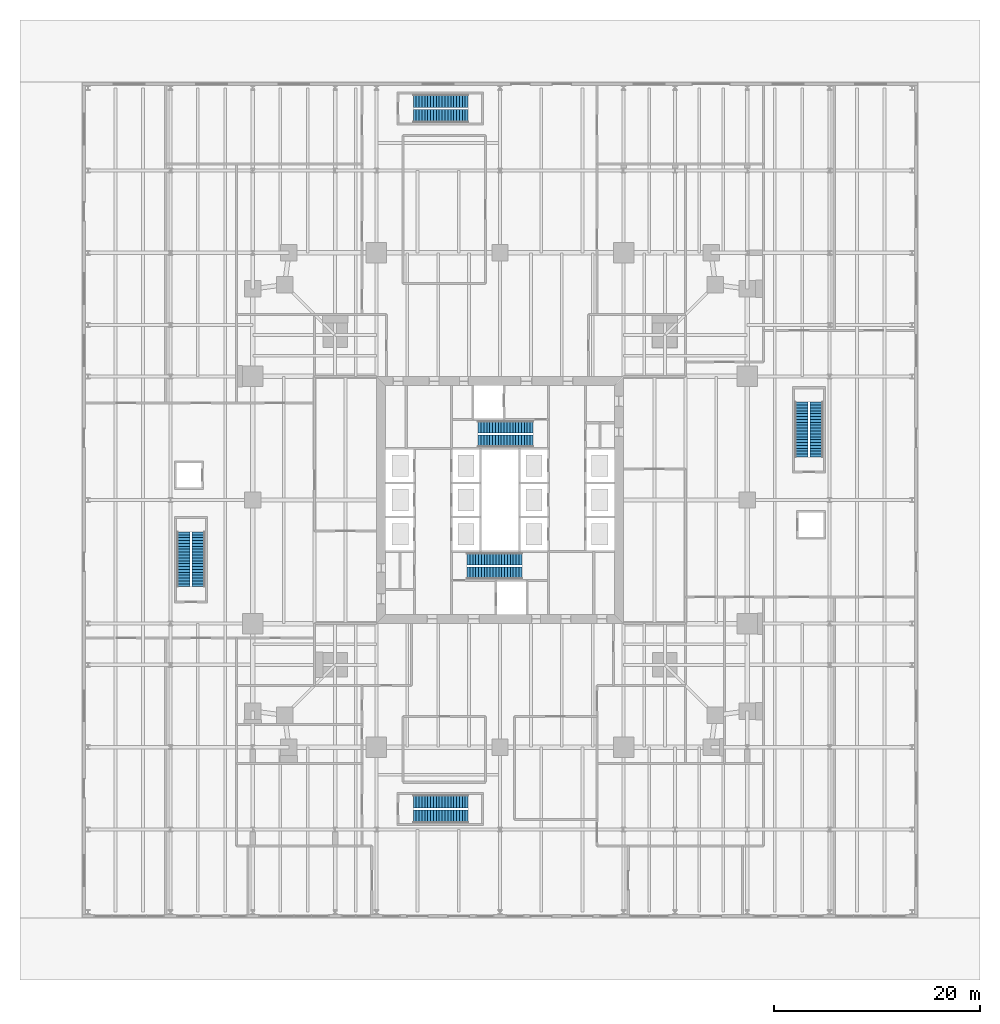
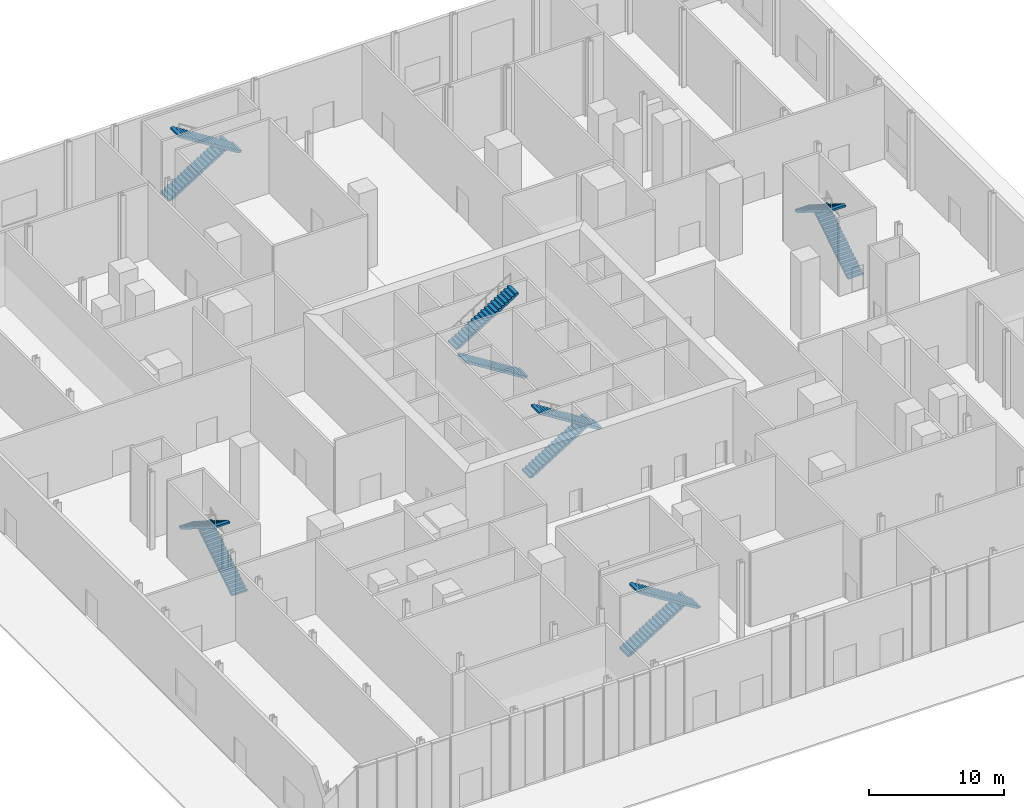
# One storey, part 18 of 20: 12 stair flights, 6 elements without a shape of their own.
"""IFC4 building model written with IfcOpenShell, lengths in metres."""

from ifc_helpers import new_model, si_unit, direction, frame, origin, place, context, subcontext, project, spatial, polyline, outline, extrude, material, type_object, element, aggregate, save


model = new_model("IFC4")

# Units and contexts
model_context = context("Model", 3, precision=1e-05, world=origin(), true_north=direction((0.0, 1.0)))
body_context = subcontext(model_context, "Body", "Model", "MODEL_VIEW")
ifc_project = project(units=[si_unit("LENGTHUNIT", "METRE"), si_unit("AREAUNIT", "SQUARE_METRE"), si_unit("VOLUMEUNIT", "CUBIC_METRE"), si_unit("PLANEANGLEUNIT", "RADIAN"), si_unit("MASSUNIT", "GRAM", prefix="KILO")], contexts=[model_context])

# Site, building, storey
site_placement = place(None, origin())
site = spatial("IfcSite", under=ifc_project, at=site_placement, CompositionType="ELEMENT")
building_placement = place(site_placement, origin())
building = spatial("IfcBuilding", under=site, at=building_placement, Name="Fenwick Lantern Interchange", CompositionType="ELEMENT")
storey_placement = place(building_placement, origin())
storey = spatial("IfcBuildingStorey", under=building, at=storey_placement, Name="L00", CompositionType="ELEMENT", Elevation=0.0)

# Stair, stair flights
ifc_material = material(Name="Precast concrete f'c 35 MPa", Category="concrete")
stair_type_1 = type_object("IfcStairType", Name="EXIT STAIR 1200", PredefinedType="HALF_TURN_STAIR", material=ifc_material)
stair_1_placement = place(storey_placement, origin())
stair_1 = element("IfcStair", 1, at=stair_1_placement, inside=storey, type_object=stair_type_1, Name="Exit stair ST1", PredefinedType="HALF_TURN_STAIR")
stair_flight_type_1 = type_object("IfcStairFlightType", Name="STAIR FLIGHT 1200", PredefinedType="STRAIGHT", material=ifc_material)
stair_flight_1_placement = place(storey_placement, frame((21.800048828125, 19.300048828125, 0.0), z_axis=(0.0, 0.0, 1.0), x_axis=(1.0, 0.0, 0.0)))
stair_flight_1 = element("IfcStairFlight", 2, at=stair_flight_1_placement, type_object=stair_flight_type_1, Name="ST1 flight 1", NumberOfRisers=20, NumberOfTreads=19, PredefinedType="STRAIGHT", RiserHeight=0.175, TreadLength=0.28, context=body_context, shape_type="SweptSolid", body=[
    extrude(outline(polyline([(0.0, 0.0), (0.0, 0.175048828125), (0.280029296875, 0.175048828125), (0.280029296875, 0.35009765625), (0.56005859375, 0.35009765625), (0.56005859375, 0.52490234375), (0.840087890625, 0.52490234375), (0.840087890625, 0.699951171875), (1.1201171875, 0.699951171875), (1.1201171875, 0.875), (1.39990234375, 0.875), (1.39990234375, 1.050048828125), (1.679931640625, 1.050048828125), (1.679931640625, 1.22509765625), (1.9599609375, 1.22509765625), (1.9599609375, 1.39990234375), (2.239990234375, 1.39990234375), (2.239990234375, 1.574951171875), (2.52001953125, 1.574951171875), (2.52001953125, 1.75), (2.800048828125, 1.75), (2.800048828125, 1.925048828125), (3.080078125, 1.925048828125), (3.080078125, 2.10009765625), (3.360107421875, 2.10009765625), (3.360107421875, 2.27490234375), (3.639892578125, 2.27490234375), (3.639892578125, 2.449951171875), (3.919921875, 2.449951171875), (3.919921875, 2.625), (4.199951171875, 2.625), (4.199951171875, 2.800048828125), (4.47998046875, 2.800048828125), (4.47998046875, 2.97509765625), (4.760009765625, 2.97509765625), (4.760009765625, 3.14990234375), (5.0400390625, 3.14990234375), (5.0400390625, 3.324951171875), (5.320068359375, 3.324951171875), (5.320068359375, 3.5), (5.320068359375, 3.148193359375), (0.28271484375, 0.0), (0.0, 0.0)])), frame((0.0, 0.60009765625, 0.0), z_axis=(0.0, -1.0, 0.0), x_axis=(1.0, 0.0, 0.0)), (0.0, 0.0, 1.0), 1.199951171875),
])
stair_flight_2_placement = place(storey_placement, frame((27.1201171875, 17.89990234375, 3.5), z_axis=(0.0, 0.0, 1.0), x_axis=(-1.0, 0.0, 0.0)))
stair_flight_2 = element("IfcStairFlight", 3, at=stair_flight_2_placement, type_object=stair_flight_type_1, Name="ST1 flight 2", NumberOfRisers=20, NumberOfTreads=19, PredefinedType="STRAIGHT", RiserHeight=0.175, TreadLength=0.28, context=body_context, shape_type="SweptSolid", body=[
    extrude(outline(polyline([(0.0, 0.0), (0.0, 0.175048828125), (0.280029296875, 0.175048828125), (0.280029296875, 0.35009765625), (0.56005859375, 0.35009765625), (0.56005859375, 0.52490234375), (0.840087890625, 0.52490234375), (0.840087890625, 0.699951171875), (1.1201171875, 0.699951171875), (1.1201171875, 0.875), (1.39990234375, 0.875), (1.39990234375, 1.050048828125), (1.679931640625, 1.050048828125), (1.679931640625, 1.22509765625), (1.9599609375, 1.22509765625), (1.9599609375, 1.39990234375), (2.239990234375, 1.39990234375), (2.239990234375, 1.574951171875), (2.52001953125, 1.574951171875), (2.52001953125, 1.75), (2.800048828125, 1.75), (2.800048828125, 1.925048828125), (3.080078125, 1.925048828125), (3.080078125, 2.10009765625), (3.360107421875, 2.10009765625), (3.360107421875, 2.27490234375), (3.639892578125, 2.27490234375), (3.639892578125, 2.449951171875), (3.919921875, 2.449951171875), (3.919921875, 2.625), (4.199951171875, 2.625), (4.199951171875, 2.800048828125), (4.47998046875, 2.800048828125), (4.47998046875, 2.97509765625), (4.760009765625, 2.97509765625), (4.760009765625, 3.14990234375), (5.0400390625, 3.14990234375), (5.0400390625, 3.324951171875), (5.320068359375, 3.324951171875), (5.320068359375, 3.5), (5.320068359375, 3.148193359375), (0.28271484375, 0.0), (0.0, 0.0)])), frame((0.0, 0.60009765625, 0.0), z_axis=(0.0, -1.0, 0.0), x_axis=(1.0, 0.0, 0.0)), (0.0, 0.0, 1.0), 1.199951171875),
])
aggregate(stair_1, [stair_flight_1, stair_flight_2])

stair_2_placement = place(storey_placement, origin())
stair_2 = element("IfcStair", 4, at=stair_2_placement, inside=storey, type_object=stair_type_1, Name="Exit stair ST2", PredefinedType="HALF_TURN_STAIR")
stair_flight_3_placement = place(storey_placement, frame((28.199951171875, 30.699951171875, 0.0), z_axis=(0.0, 0.0, 1.0), x_axis=(-1.0, 0.0, 0.0)))
stair_flight_3 = element("IfcStairFlight", 5, at=stair_flight_3_placement, type_object=stair_flight_type_1, Name="ST2 flight 1", NumberOfRisers=20, NumberOfTreads=19, PredefinedType="STRAIGHT", RiserHeight=0.175, TreadLength=0.28, context=body_context, shape_type="SweptSolid", body=[
    extrude(outline(polyline([(0.0, 0.0), (0.0, 0.175048828125), (0.280029296875, 0.175048828125), (0.280029296875, 0.35009765625), (0.56005859375, 0.35009765625), (0.56005859375, 0.52490234375), (0.840087890625, 0.52490234375), (0.840087890625, 0.699951171875), (1.1201171875, 0.699951171875), (1.1201171875, 0.875), (1.39990234375, 0.875), (1.39990234375, 1.050048828125), (1.679931640625, 1.050048828125), (1.679931640625, 1.22509765625), (1.9599609375, 1.22509765625), (1.9599609375, 1.39990234375), (2.239990234375, 1.39990234375), (2.239990234375, 1.574951171875), (2.52001953125, 1.574951171875), (2.52001953125, 1.75), (2.800048828125, 1.75), (2.800048828125, 1.925048828125), (3.080078125, 1.925048828125), (3.080078125, 2.10009765625), (3.360107421875, 2.10009765625), (3.360107421875, 2.27490234375), (3.639892578125, 2.27490234375), (3.639892578125, 2.449951171875), (3.919921875, 2.449951171875), (3.919921875, 2.625), (4.199951171875, 2.625), (4.199951171875, 2.800048828125), (4.47998046875, 2.800048828125), (4.47998046875, 2.97509765625), (4.760009765625, 2.97509765625), (4.760009765625, 3.14990234375), (5.0400390625, 3.14990234375), (5.0400390625, 3.324951171875), (5.320068359375, 3.324951171875), (5.320068359375, 3.5), (5.320068359375, 3.148193359375), (0.28271484375, 0.0), (0.0, 0.0)])), frame((0.0, 0.60009765625, 0.0), z_axis=(0.0, -1.0, 0.0), x_axis=(1.0, 0.0, 0.0)), (0.0, 0.0, 1.0), 1.199951171875),
])
stair_flight_4_placement = place(storey_placement, frame((22.8798828125, 32.10009765625, 3.5), z_axis=(0.0, 0.0, 1.0), x_axis=(1.0, 0.0, 0.0)))
stair_flight_4 = element("IfcStairFlight", 6, at=stair_flight_4_placement, type_object=stair_flight_type_1, Name="ST2 flight 2", NumberOfRisers=20, NumberOfTreads=19, PredefinedType="STRAIGHT", RiserHeight=0.175, TreadLength=0.28, context=body_context, shape_type="SweptSolid", body=[
    extrude(outline(polyline([(0.0, 0.0), (0.0, 0.175048828125), (0.280029296875, 0.175048828125), (0.280029296875, 0.35009765625), (0.56005859375, 0.35009765625), (0.56005859375, 0.52490234375), (0.840087890625, 0.52490234375), (0.840087890625, 0.699951171875), (1.1201171875, 0.699951171875), (1.1201171875, 0.875), (1.39990234375, 0.875), (1.39990234375, 1.050048828125), (1.679931640625, 1.050048828125), (1.679931640625, 1.22509765625), (1.9599609375, 1.22509765625), (1.9599609375, 1.39990234375), (2.239990234375, 1.39990234375), (2.239990234375, 1.574951171875), (2.52001953125, 1.574951171875), (2.52001953125, 1.75), (2.800048828125, 1.75), (2.800048828125, 1.925048828125), (3.080078125, 1.925048828125), (3.080078125, 2.10009765625), (3.360107421875, 2.10009765625), (3.360107421875, 2.27490234375), (3.639892578125, 2.27490234375), (3.639892578125, 2.449951171875), (3.919921875, 2.449951171875), (3.919921875, 2.625), (4.199951171875, 2.625), (4.199951171875, 2.800048828125), (4.47998046875, 2.800048828125), (4.47998046875, 2.97509765625), (4.760009765625, 2.97509765625), (4.760009765625, 3.14990234375), (5.0400390625, 3.14990234375), (5.0400390625, 3.324951171875), (5.320068359375, 3.324951171875), (5.320068359375, 3.5), (5.320068359375, 3.148193359375), (0.28271484375, 0.0), (0.0, 0.0)])), frame((0.0, 0.60009765625, 0.0), z_axis=(0.0, -1.0, 0.0), x_axis=(1.0, 0.0, 0.0)), (0.0, 0.0, 1.0), 1.199951171875),
])
aggregate(stair_2, [stair_flight_3, stair_flight_4])

stair_type_2 = type_object("IfcStairType", Name="EXIT STAIR 1300", PredefinedType="HALF_TURN_STAIR", material=ifc_material)
stair_3_placement = place(storey_placement, origin())
stair_3 = element("IfcStair", 7, at=stair_3_placement, inside=storey, type_object=stair_type_2, Name="Exit stair PS1", PredefinedType="HALF_TURN_STAIR")
stair_flight_type_2 = type_object("IfcStairFlightType", Name="STAIR FLIGHT 1300", PredefinedType="STRAIGHT", material=ifc_material)
stair_flight_5_placement = place(storey_placement, frame((16.580078125, 63.75, 0.0), z_axis=(0.0, 0.0, 1.0), x_axis=(1.0, 0.0, 0.0)))
stair_flight_5 = element("IfcStairFlight", 8, at=stair_flight_5_placement, type_object=stair_flight_type_2, Name="PS1 flight 1", NumberOfRisers=20, NumberOfTreads=19, PredefinedType="STRAIGHT", RiserHeight=0.175, TreadLength=0.28, context=body_context, shape_type="SweptSolid", body=[
    extrude(outline(polyline([(0.0, 0.0), (0.0, 0.175048828125), (0.280029296875, 0.175048828125), (0.280029296875, 0.35009765625), (0.56005859375, 0.35009765625), (0.56005859375, 0.52490234375), (0.840087890625, 0.52490234375), (0.840087890625, 0.699951171875), (1.1201171875, 0.699951171875), (1.1201171875, 0.875), (1.39990234375, 0.875), (1.39990234375, 1.050048828125), (1.679931640625, 1.050048828125), (1.679931640625, 1.22509765625), (1.9599609375, 1.22509765625), (1.9599609375, 1.39990234375), (2.239990234375, 1.39990234375), (2.239990234375, 1.574951171875), (2.52001953125, 1.574951171875), (2.52001953125, 1.75), (2.800048828125, 1.75), (2.800048828125, 1.925048828125), (3.080078125, 1.925048828125), (3.080078125, 2.10009765625), (3.360107421875, 2.10009765625), (3.360107421875, 2.27490234375), (3.639892578125, 2.27490234375), (3.639892578125, 2.449951171875), (3.919921875, 2.449951171875), (3.919921875, 2.625), (4.199951171875, 2.625), (4.199951171875, 2.800048828125), (4.47998046875, 2.800048828125), (4.47998046875, 2.97509765625), (4.760009765625, 2.97509765625), (4.760009765625, 3.14990234375), (5.0400390625, 3.14990234375), (5.0400390625, 3.324951171875), (5.320068359375, 3.324951171875), (5.320068359375, 3.5), (5.320068359375, 3.148193359375), (0.28271484375, 0.0), (0.0, 0.0)])), frame((0.0, 0.64990234375, 0.0), z_axis=(0.0, -1.0, 0.0), x_axis=(1.0, 0.0, 0.0)), (0.0, 0.0, 1.0), 1.300048828125),
])
stair_flight_6_placement = place(storey_placement, frame((21.89990234375, 62.25, 3.5), z_axis=(0.0, 0.0, 1.0), x_axis=(-1.0, 0.0, 0.0)))
stair_flight_6 = element("IfcStairFlight", 9, at=stair_flight_6_placement, type_object=stair_flight_type_2, Name="PS1 flight 2", NumberOfRisers=20, NumberOfTreads=19, PredefinedType="STRAIGHT", RiserHeight=0.175, TreadLength=0.28, context=body_context, shape_type="SweptSolid", body=[
    extrude(outline(polyline([(0.0, 0.0), (0.0, 0.175048828125), (0.280029296875, 0.175048828125), (0.280029296875, 0.35009765625), (0.56005859375, 0.35009765625), (0.56005859375, 0.52490234375), (0.840087890625, 0.52490234375), (0.840087890625, 0.699951171875), (1.1201171875, 0.699951171875), (1.1201171875, 0.875), (1.39990234375, 0.875), (1.39990234375, 1.050048828125), (1.679931640625, 1.050048828125), (1.679931640625, 1.22509765625), (1.9599609375, 1.22509765625), (1.9599609375, 1.39990234375), (2.239990234375, 1.39990234375), (2.239990234375, 1.574951171875), (2.52001953125, 1.574951171875), (2.52001953125, 1.75), (2.800048828125, 1.75), (2.800048828125, 1.925048828125), (3.080078125, 1.925048828125), (3.080078125, 2.10009765625), (3.360107421875, 2.10009765625), (3.360107421875, 2.27490234375), (3.639892578125, 2.27490234375), (3.639892578125, 2.449951171875), (3.919921875, 2.449951171875), (3.919921875, 2.625), (4.199951171875, 2.625), (4.199951171875, 2.800048828125), (4.47998046875, 2.800048828125), (4.47998046875, 2.97509765625), (4.760009765625, 2.97509765625), (4.760009765625, 3.14990234375), (5.0400390625, 3.14990234375), (5.0400390625, 3.324951171875), (5.320068359375, 3.324951171875), (5.320068359375, 3.5), (5.320068359375, 3.148193359375), (0.28271484375, 0.0), (0.0, 0.0)])), frame((0.0, 0.64990234375, 0.0), z_axis=(0.0, -1.0, 0.0), x_axis=(1.0, 0.0, 0.0)), (0.0, 0.0, 1.0), 1.300048828125),
])
aggregate(stair_3, [stair_flight_5, stair_flight_6])

stair_4_placement = place(storey_placement, origin())
stair_4 = element("IfcStair", 10, at=stair_4_placement, inside=storey, type_object=stair_type_2, Name="Exit stair PS2", PredefinedType="HALF_TURN_STAIR")
stair_flight_7_placement = place(storey_placement, frame((16.580078125, -4.25, 0.0), z_axis=(0.0, 0.0, 1.0), x_axis=(1.0, 0.0, 0.0)))
stair_flight_7 = element("IfcStairFlight", 11, at=stair_flight_7_placement, type_object=stair_flight_type_2, Name="PS2 flight 1", NumberOfRisers=20, NumberOfTreads=19, PredefinedType="STRAIGHT", RiserHeight=0.175, TreadLength=0.28, context=body_context, shape_type="SweptSolid", body=[
    extrude(outline(polyline([(0.0, 0.0), (0.0, 0.175048828125), (0.280029296875, 0.175048828125), (0.280029296875, 0.35009765625), (0.56005859375, 0.35009765625), (0.56005859375, 0.52490234375), (0.840087890625, 0.52490234375), (0.840087890625, 0.699951171875), (1.1201171875, 0.699951171875), (1.1201171875, 0.875), (1.39990234375, 0.875), (1.39990234375, 1.050048828125), (1.679931640625, 1.050048828125), (1.679931640625, 1.22509765625), (1.9599609375, 1.22509765625), (1.9599609375, 1.39990234375), (2.239990234375, 1.39990234375), (2.239990234375, 1.574951171875), (2.52001953125, 1.574951171875), (2.52001953125, 1.75), (2.800048828125, 1.75), (2.800048828125, 1.925048828125), (3.080078125, 1.925048828125), (3.080078125, 2.10009765625), (3.360107421875, 2.10009765625), (3.360107421875, 2.27490234375), (3.639892578125, 2.27490234375), (3.639892578125, 2.449951171875), (3.919921875, 2.449951171875), (3.919921875, 2.625), (4.199951171875, 2.625), (4.199951171875, 2.800048828125), (4.47998046875, 2.800048828125), (4.47998046875, 2.97509765625), (4.760009765625, 2.97509765625), (4.760009765625, 3.14990234375), (5.0400390625, 3.14990234375), (5.0400390625, 3.324951171875), (5.320068359375, 3.324951171875), (5.320068359375, 3.5), (5.320068359375, 3.148193359375), (0.28271484375, 0.0), (0.0, 0.0)])), frame((0.0, 0.64990234375, 0.0), z_axis=(0.0, -1.0, 0.0), x_axis=(1.0, 0.0, 0.0)), (0.0, 0.0, 1.0), 1.300048828125),
])
stair_flight_8_placement = place(storey_placement, frame((21.89990234375, -5.75, 3.5), z_axis=(0.0, 0.0, 1.0), x_axis=(-1.0, 0.0, 0.0)))
stair_flight_8 = element("IfcStairFlight", 12, at=stair_flight_8_placement, type_object=stair_flight_type_2, Name="PS2 flight 2", NumberOfRisers=20, NumberOfTreads=19, PredefinedType="STRAIGHT", RiserHeight=0.175, TreadLength=0.28, context=body_context, shape_type="SweptSolid", body=[
    extrude(outline(polyline([(0.0, 0.0), (0.0, 0.175048828125), (0.280029296875, 0.175048828125), (0.280029296875, 0.35009765625), (0.56005859375, 0.35009765625), (0.56005859375, 0.52490234375), (0.840087890625, 0.52490234375), (0.840087890625, 0.699951171875), (1.1201171875, 0.699951171875), (1.1201171875, 0.875), (1.39990234375, 0.875), (1.39990234375, 1.050048828125), (1.679931640625, 1.050048828125), (1.679931640625, 1.22509765625), (1.9599609375, 1.22509765625), (1.9599609375, 1.39990234375), (2.239990234375, 1.39990234375), (2.239990234375, 1.574951171875), (2.52001953125, 1.574951171875), (2.52001953125, 1.75), (2.800048828125, 1.75), (2.800048828125, 1.925048828125), (3.080078125, 1.925048828125), (3.080078125, 2.10009765625), (3.360107421875, 2.10009765625), (3.360107421875, 2.27490234375), (3.639892578125, 2.27490234375), (3.639892578125, 2.449951171875), (3.919921875, 2.449951171875), (3.919921875, 2.625), (4.199951171875, 2.625), (4.199951171875, 2.800048828125), (4.47998046875, 2.800048828125), (4.47998046875, 2.97509765625), (4.760009765625, 2.97509765625), (4.760009765625, 3.14990234375), (5.0400390625, 3.14990234375), (5.0400390625, 3.324951171875), (5.320068359375, 3.324951171875), (5.320068359375, 3.5), (5.320068359375, 3.148193359375), (0.28271484375, 0.0), (0.0, 0.0)])), frame((0.0, 0.64990234375, 0.0), z_axis=(0.0, -1.0, 0.0), x_axis=(1.0, 0.0, 0.0)), (0.0, 0.0, 1.0), 1.300048828125),
])
aggregate(stair_4, [stair_flight_7, stair_flight_8])

stair_5_placement = place(storey_placement, origin())
stair_5 = element("IfcStair", 13, at=stair_5_placement, inside=storey, type_object=stair_type_2, Name="Exit stair PS3", PredefinedType="HALF_TURN_STAIR")
stair_flight_9_placement = place(storey_placement, frame((-4.25, 16.580078125, 0.0), z_axis=(0.0, 0.0, 1.0), x_axis=(0.0, 1.0, 0.0)))
stair_flight_9 = element("IfcStairFlight", 14, at=stair_flight_9_placement, type_object=stair_flight_type_2, Name="PS3 flight 1", NumberOfRisers=20, NumberOfTreads=19, PredefinedType="STRAIGHT", RiserHeight=0.175, TreadLength=0.28, context=body_context, shape_type="SweptSolid", body=[
    extrude(outline(polyline([(0.0, 0.0), (0.0, 0.175048828125), (0.280029296875, 0.175048828125), (0.280029296875, 0.35009765625), (0.56005859375, 0.35009765625), (0.56005859375, 0.52490234375), (0.840087890625, 0.52490234375), (0.840087890625, 0.699951171875), (1.1201171875, 0.699951171875), (1.1201171875, 0.875), (1.39990234375, 0.875), (1.39990234375, 1.050048828125), (1.679931640625, 1.050048828125), (1.679931640625, 1.22509765625), (1.9599609375, 1.22509765625), (1.9599609375, 1.39990234375), (2.239990234375, 1.39990234375), (2.239990234375, 1.574951171875), (2.52001953125, 1.574951171875), (2.52001953125, 1.75), (2.800048828125, 1.75), (2.800048828125, 1.925048828125), (3.080078125, 1.925048828125), (3.080078125, 2.10009765625), (3.360107421875, 2.10009765625), (3.360107421875, 2.27490234375), (3.639892578125, 2.27490234375), (3.639892578125, 2.449951171875), (3.919921875, 2.449951171875), (3.919921875, 2.625), (4.199951171875, 2.625), (4.199951171875, 2.800048828125), (4.47998046875, 2.800048828125), (4.47998046875, 2.97509765625), (4.760009765625, 2.97509765625), (4.760009765625, 3.14990234375), (5.0400390625, 3.14990234375), (5.0400390625, 3.324951171875), (5.320068359375, 3.324951171875), (5.320068359375, 3.5), (5.320068359375, 3.148193359375), (0.28271484375, 0.0), (0.0, 0.0)])), frame((0.0, 0.64990234375, 0.0), z_axis=(0.0, -1.0, 0.0), x_axis=(1.0, 0.0, 0.0)), (0.0, 0.0, 1.0), 1.300048828125),
])
stair_flight_10_placement = place(storey_placement, frame((-5.75, 21.89990234375, 3.5), z_axis=(0.0, 0.0, 1.0), x_axis=(0.0, -1.0, 0.0)))
stair_flight_10 = element("IfcStairFlight", 15, at=stair_flight_10_placement, type_object=stair_flight_type_2, Name="PS3 flight 2", NumberOfRisers=20, NumberOfTreads=19, PredefinedType="STRAIGHT", RiserHeight=0.175, TreadLength=0.28, context=body_context, shape_type="SweptSolid", body=[
    extrude(outline(polyline([(0.0, 0.0), (0.0, 0.175048828125), (0.280029296875, 0.175048828125), (0.280029296875, 0.35009765625), (0.56005859375, 0.35009765625), (0.56005859375, 0.52490234375), (0.840087890625, 0.52490234375), (0.840087890625, 0.699951171875), (1.1201171875, 0.699951171875), (1.1201171875, 0.875), (1.39990234375, 0.875), (1.39990234375, 1.050048828125), (1.679931640625, 1.050048828125), (1.679931640625, 1.22509765625), (1.9599609375, 1.22509765625), (1.9599609375, 1.39990234375), (2.239990234375, 1.39990234375), (2.239990234375, 1.574951171875), (2.52001953125, 1.574951171875), (2.52001953125, 1.75), (2.800048828125, 1.75), (2.800048828125, 1.925048828125), (3.080078125, 1.925048828125), (3.080078125, 2.10009765625), (3.360107421875, 2.10009765625), (3.360107421875, 2.27490234375), (3.639892578125, 2.27490234375), (3.639892578125, 2.449951171875), (3.919921875, 2.449951171875), (3.919921875, 2.625), (4.199951171875, 2.625), (4.199951171875, 2.800048828125), (4.47998046875, 2.800048828125), (4.47998046875, 2.97509765625), (4.760009765625, 2.97509765625), (4.760009765625, 3.14990234375), (5.0400390625, 3.14990234375), (5.0400390625, 3.324951171875), (5.320068359375, 3.324951171875), (5.320068359375, 3.5), (5.320068359375, 3.148193359375), (0.28271484375, 0.0), (0.0, 0.0)])), frame((0.0, 0.64990234375, 0.0), z_axis=(0.0, -1.0, 0.0), x_axis=(1.0, 0.0, 0.0)), (0.0, 0.0, 1.0), 1.300048828125),
])
aggregate(stair_5, [stair_flight_9, stair_flight_10])

stair_6_placement = place(storey_placement, origin())
stair_6 = element("IfcStair", 16, at=stair_6_placement, inside=storey, type_object=stair_type_2, Name="Exit stair PS4", PredefinedType="HALF_TURN_STAIR")
stair_flight_11_placement = place(storey_placement, frame((55.75, 29.179931640625, 0.0), z_axis=(0.0, 0.0, 1.0), x_axis=(0.0, 1.0, 0.0)))
stair_flight_11 = element("IfcStairFlight", 17, at=stair_flight_11_placement, type_object=stair_flight_type_2, Name="PS4 flight 1", NumberOfRisers=20, NumberOfTreads=19, PredefinedType="STRAIGHT", RiserHeight=0.175, TreadLength=0.28, context=body_context, shape_type="SweptSolid", body=[
    extrude(outline(polyline([(0.0, 0.0), (0.0, 0.175048828125), (0.280029296875, 0.175048828125), (0.280029296875, 0.35009765625), (0.56005859375, 0.35009765625), (0.56005859375, 0.52490234375), (0.840087890625, 0.52490234375), (0.840087890625, 0.699951171875), (1.1201171875, 0.699951171875), (1.1201171875, 0.875), (1.39990234375, 0.875), (1.39990234375, 1.050048828125), (1.679931640625, 1.050048828125), (1.679931640625, 1.22509765625), (1.9599609375, 1.22509765625), (1.9599609375, 1.39990234375), (2.239990234375, 1.39990234375), (2.239990234375, 1.574951171875), (2.52001953125, 1.574951171875), (2.52001953125, 1.75), (2.800048828125, 1.75), (2.800048828125, 1.925048828125), (3.080078125, 1.925048828125), (3.080078125, 2.10009765625), (3.360107421875, 2.10009765625), (3.360107421875, 2.27490234375), (3.639892578125, 2.27490234375), (3.639892578125, 2.449951171875), (3.919921875, 2.449951171875), (3.919921875, 2.625), (4.199951171875, 2.625), (4.199951171875, 2.800048828125), (4.47998046875, 2.800048828125), (4.47998046875, 2.97509765625), (4.760009765625, 2.97509765625), (4.760009765625, 3.14990234375), (5.0400390625, 3.14990234375), (5.0400390625, 3.324951171875), (5.320068359375, 3.324951171875), (5.320068359375, 3.5), (5.320068359375, 3.148193359375), (0.28271484375, 0.0), (0.0, 0.0)])), frame((0.0, 0.64990234375, 0.0), z_axis=(0.0, -1.0, 0.0), x_axis=(1.0, 0.0, 0.0)), (0.0, 0.0, 1.0), 1.300048828125),
])
stair_flight_12_placement = place(storey_placement, frame((54.25, 34.5, 3.5), z_axis=(0.0, 0.0, 1.0), x_axis=(0.0, -1.0, 0.0)))
stair_flight_12 = element("IfcStairFlight", 18, at=stair_flight_12_placement, type_object=stair_flight_type_2, Name="PS4 flight 2", NumberOfRisers=20, NumberOfTreads=19, PredefinedType="STRAIGHT", RiserHeight=0.175, TreadLength=0.28, context=body_context, shape_type="SweptSolid", body=[
    extrude(outline(polyline([(0.0, 0.0), (0.0, 0.175048828125), (0.280029296875, 0.175048828125), (0.280029296875, 0.35009765625), (0.56005859375, 0.35009765625), (0.56005859375, 0.52490234375), (0.840087890625, 0.52490234375), (0.840087890625, 0.699951171875), (1.1201171875, 0.699951171875), (1.1201171875, 0.875), (1.39990234375, 0.875), (1.39990234375, 1.050048828125), (1.679931640625, 1.050048828125), (1.679931640625, 1.22509765625), (1.9599609375, 1.22509765625), (1.9599609375, 1.39990234375), (2.239990234375, 1.39990234375), (2.239990234375, 1.574951171875), (2.52001953125, 1.574951171875), (2.52001953125, 1.75), (2.800048828125, 1.75), (2.800048828125, 1.925048828125), (3.080078125, 1.925048828125), (3.080078125, 2.10009765625), (3.360107421875, 2.10009765625), (3.360107421875, 2.27490234375), (3.639892578125, 2.27490234375), (3.639892578125, 2.449951171875), (3.919921875, 2.449951171875), (3.919921875, 2.625), (4.199951171875, 2.625), (4.199951171875, 2.800048828125), (4.47998046875, 2.800048828125), (4.47998046875, 2.97509765625), (4.760009765625, 2.97509765625), (4.760009765625, 3.14990234375), (5.0400390625, 3.14990234375), (5.0400390625, 3.324951171875), (5.320068359375, 3.324951171875), (5.320068359375, 3.5), (5.320068359375, 3.148193359375), (0.28271484375, 0.0), (0.0, 0.0)])), frame((0.0, 0.64990234375, 0.0), z_axis=(0.0, -1.0, 0.0), x_axis=(1.0, 0.0, 0.0)), (0.0, 0.0, 1.0), 1.300048828125),
])
aggregate(stair_6, [stair_flight_11, stair_flight_12])

save(model, "model.ifc")
